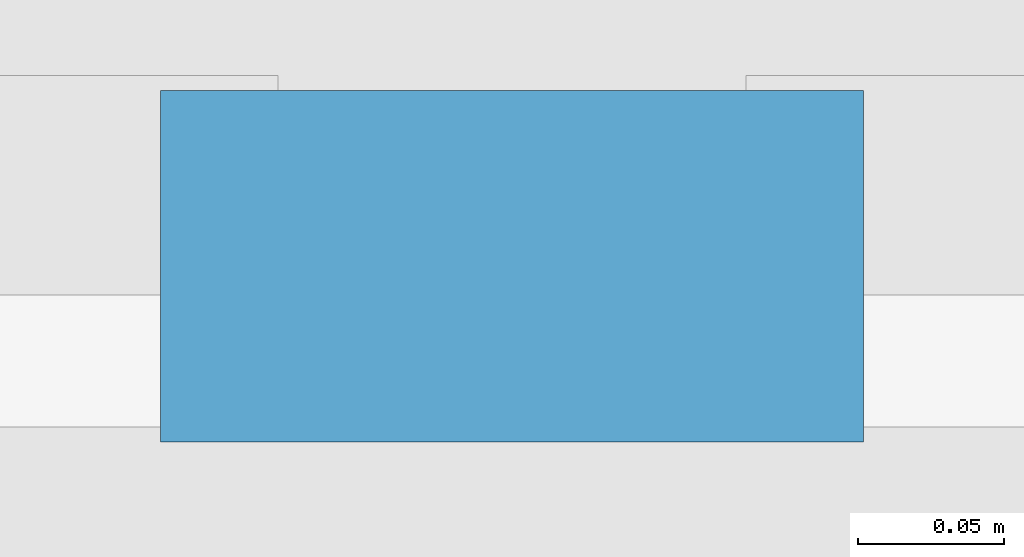
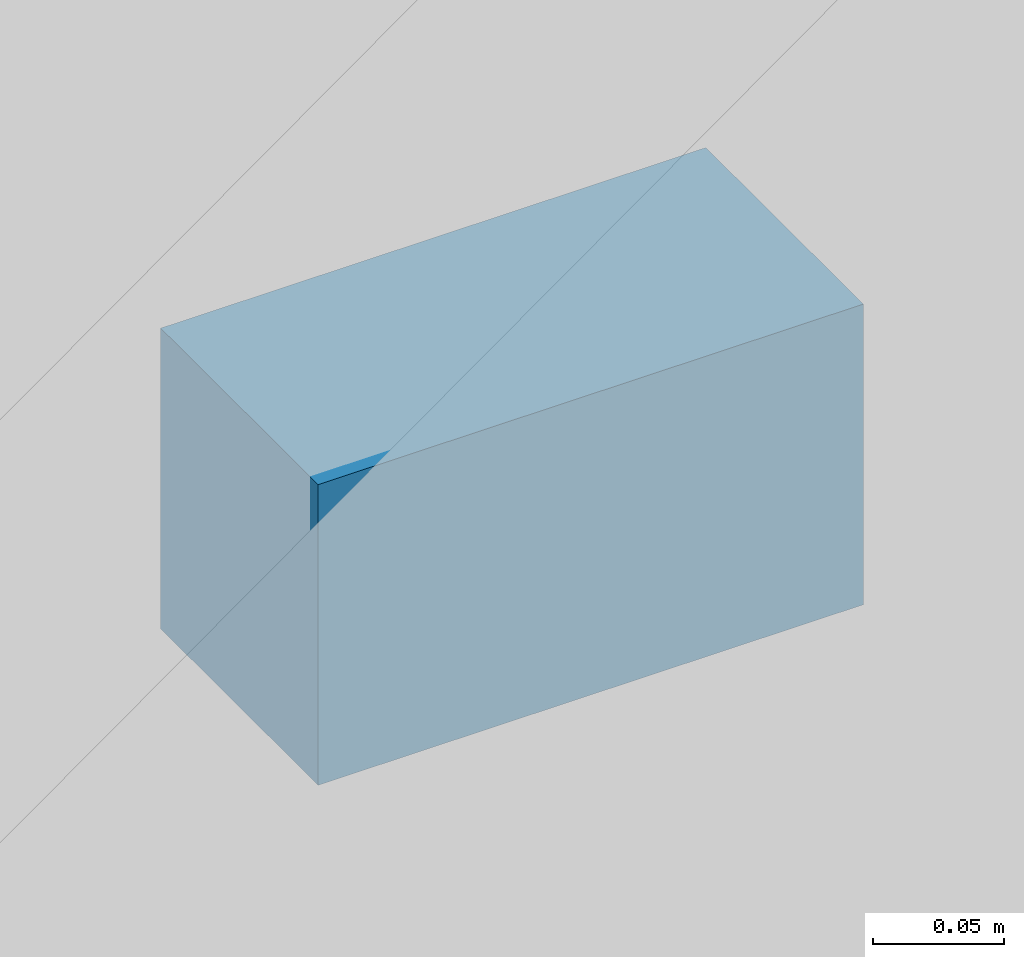
# One storey, part 33 of 46: 1 discrete accessory.
"""IFC4 building model written with IfcOpenShell, lengths in metres."""

import ifcopenshell
import ifcopenshell.guid

model = None  # the IFC model being written
_history = None  # IfcOwnerHistory: only IFC2X3 demands one
_inside = {}  # id of a spatial element -> (the spatial element, [elements in it])
_under = {}  # id of a project, library or spatial element -> (it, [spatial elements below it])
_declared = {}  # id of a project -> (the project, [libraries it declares])
_typed = {}  # id of a type object -> (the type object, [elements of that type])
_made_of = {}  # id of a material, layer set ... -> (it, [elements and type objects made of it])


def new_model(schema):
    """Start an empty IFC model of exactly this schema.

    Asked for "IFC4X3", IfcOpenShell would pick the latest addendum, in which some entities
    have other attributes; the version numbers below select the first issue.
    IFC2X3 requires an IfcOwnerHistory on every rooted entity: one is made here for all.
    """
    global model, _history
    if schema == "IFC4X3":
        model = ifcopenshell.file(schema_version=(4, 3, 0, 0))
    else:
        model = ifcopenshell.file(schema=schema)
    _inside.clear()
    _under.clear()
    _declared.clear()
    _typed.clear()
    _made_of.clear()
    _history = None
    if model.schema == "IFC2X3":
        org = make("IfcOrganization", Name="unknown")
        user = make(
            "IfcPersonAndOrganization",
            ThePerson=make("IfcPerson", FamilyName="unknown"),
            TheOrganization=org,
        )
        app = make(
            "IfcApplication",
            ApplicationDeveloper=org,
            Version="unknown",
            ApplicationFullName="unknown",
            ApplicationIdentifier="unknown",
        )
        _history = make(
            "IfcOwnerHistory",
            OwningUser=user,
            OwningApplication=app,
            ChangeAction="ADDED",
            CreationDate=0,
        )
    return model


def make(cls, **values):
    """One entity of the class cls with the attributes given. An attribute that is None is left unset."""
    return model.create_entity(
        cls, **{name: value for name, value in values.items() if value is not None}
    )


def rooted(cls, **values):
    """An entity with a GlobalId (a new one), such as an element, a storey or a relation."""
    return make(cls, GlobalId=ifcopenshell.guid.new(), OwnerHistory=_history, **values)


def si_unit(unit_type, name, prefix=None):
    """IfcSIUnit, for example si_unit("LENGTHUNIT", "METRE", prefix="MILLI")."""
    return make("IfcSIUnit", UnitType=unit_type, Prefix=prefix, Name=name)


def assignment(units):
    """IfcUnitAssignment: the units of a project."""
    return None if units is None else make("IfcUnitAssignment", Units=units)


def point(xyz):
    """IfcCartesianPoint."""
    return None if xyz is None else make("IfcCartesianPoint", Coordinates=xyz)


def direction(xyz):
    """IfcDirection."""
    return None if xyz is None else make("IfcDirection", DirectionRatios=xyz)


def frame(location, z_axis=None, x_axis=None):
    """IfcAxis2Placement3D, a coordinate frame: its origin and axes. An axis left out is left unset."""
    return make(
        "IfcAxis2Placement3D",
        Location=point(location),
        Axis=direction(z_axis),
        RefDirection=direction(x_axis),
    )


def frame_2d(location, x_axis=None):
    """IfcAxis2Placement2D, a coordinate frame in the plane: its origin and x axis."""
    return make(
        "IfcAxis2Placement2D", Location=point(location), RefDirection=direction(x_axis)
    )


def origin():
    """The frame at (0, 0, 0) with its axes left unset."""
    return frame((0.0, 0.0, 0.0))


def origin_2d():
    """The frame at (0, 0) in the plane with its x axis left unset."""
    return frame_2d((0.0, 0.0))


def place(relative_to, where):
    """IfcLocalPlacement: puts the frame where relative to a parent placement (None: the world)."""
    return make(
        "IfcLocalPlacement", PlacementRelTo=relative_to, RelativePlacement=where
    )


def context(
    kind, dimensions, precision=None, world=None, true_north=None, identifier=None
):
    """IfcGeometricRepresentationContext, for example the 3D "Model" context."""
    return make(
        "IfcGeometricRepresentationContext",
        ContextIdentifier=identifier,
        ContextType=kind,
        CoordinateSpaceDimension=dimensions,
        Precision=precision,
        WorldCoordinateSystem=world,
        TrueNorth=true_north,
    )


def subcontext(parent, identifier, kind, view, scale=None):
    """IfcGeometricRepresentationSubContext, for example "Body" below "Model"."""
    return make(
        "IfcGeometricRepresentationSubContext",
        ContextIdentifier=identifier,
        ContextType=kind,
        ParentContext=parent,
        TargetScale=scale,
        TargetView=view,
    )


def project(units=None, contexts=None):
    """IfcProject with its units and contexts."""
    return rooted(
        "IfcProject",
        Name="project",
        RepresentationContexts=contexts,
        UnitsInContext=assignment(units),
    )


def spatial(cls, under=None, at=None, **own):
    """A site, building, storey or space (cls), placed at a placement, below another one or the project."""
    s = rooted(cls, ObjectPlacement=at, **own)
    if under is not None:
        _under.setdefault(under.id(), (under, []))[1].append(s)
    return s


def profile(cls, at=None, kind="AREA", **sizes):
    """A parametric profile (cls). Its sizes go by their IFC names, for example OverallWidth=200.0."""
    return make(cls, ProfileType=kind, Position=at, **sizes)


def rectangle(**sizes):
    """IfcRectangleProfileDef."""
    return profile("IfcRectangleProfileDef", **sizes)


def extrude(swept, where, along, depth):
    """IfcExtrudedAreaSolid: the profile swept, set in the frame where, extruded along a direction by depth."""
    return make(
        "IfcExtrudedAreaSolid",
        SweptArea=swept,
        Position=where,
        ExtrudedDirection=direction(along),
        Depth=depth,
    )


def shape(context_of_items, identifier, shape_type, items):
    """IfcShapeRepresentation: the items that make up one representation, for example the "Body"."""
    return make(
        "IfcShapeRepresentation",
        ContextOfItems=context_of_items,
        RepresentationIdentifier=identifier,
        RepresentationType=shape_type,
        Items=items,
    )


def material(Name=None, Category=None):
    """IfcMaterial."""
    return make("IfcMaterial", Name=Name, Category=Category)


def made_of(thing, what):
    """Note that an element or type object is made of a material, layer set ...; save() writes the relation."""
    if what is not None:
        _made_of.setdefault(what.id(), (what, []))[1].append(thing)
    return thing


def type_object(cls, material=None, **own):
    """A type object (cls), such as IfcWallType, which elements share."""
    return made_of(rooted(cls, **own), material)


def element(
    cls,
    number,
    at=None,
    inside=None,
    cuts=None,
    type_object=None,
    material=None,
    context=None,
    identifier="Body",
    shape_type=None,
    held_by="IfcProductDefinitionShape",
    body=None,
    shapes=None,
    **own,
):
    """One element of the class cls, such as IfcWall. Its Tag is "e" and its number.

    at: its placement. inside: the storey or other place that contains it. cuts: it is an
    opening in that element (IfcRelVoidsElement). A single representation is given by context,
    identifier, shape_type and body (its items); several are given by shapes. held_by: the class
    of the entity that holds the representations. save() writes the other relations.
    """
    e = rooted(cls, Tag="e%d" % number, ObjectPlacement=at, **own)
    if body is not None:
        shapes = [shape(context, identifier, shape_type, body)]
    if shapes is not None:
        e.Representation = make(held_by, Representations=shapes)
    if inside is not None:
        _inside.setdefault(inside.id(), (inside, []))[1].append(e)
    if cuts is not None:
        rooted(
            "IfcRelVoidsElement", RelatingBuildingElement=cuts, RelatedOpeningElement=e
        )
    if type_object is not None:
        _typed.setdefault(type_object.id(), (type_object, []))[1].append(e)
    return made_of(e, material)


def aggregate(whole, parts):
    """IfcRelAggregates: a whole, such as a stair, and the parts it consists of."""
    return rooted("IfcRelAggregates", RelatingObject=whole, RelatedObjects=parts)


def save(model, path):
    """Write the relations noted so far, then the file.

    IfcRelAggregates (storeys below a building ...), IfcRelContainedInSpatialStructure (elements
    in a storey), IfcRelDefinesByType, IfcRelAssociatesMaterial and IfcRelDeclares: one each for
    every whole, place, type object, material and project.
    """
    for whole, parts in _under.values():
        aggregate(whole, parts)
    for where, things in _inside.values():
        rooted(
            "IfcRelContainedInSpatialStructure",
            RelatedElements=things,
            RelatingStructure=where,
        )
    for kind, things in _typed.values():
        rooted("IfcRelDefinesByType", RelatedObjects=things, RelatingType=kind)
    for what, things in _made_of.values():
        rooted("IfcRelAssociatesMaterial", RelatedObjects=things, RelatingMaterial=what)
    for by, libraries in _declared.values():
        rooted("IfcRelDeclares", RelatingContext=by, RelatedDefinitions=libraries)
    model.write(path)


model = new_model("IFC4")

# Units and contexts
model_context = context("Model", 3, precision=1e-05, world=origin(), true_north=direction((0.0, 1.0)))
body_context = subcontext(model_context, "Body", "Model", "MODEL_VIEW")
ifc_project = project(units=[si_unit("LENGTHUNIT", "METRE"), si_unit("AREAUNIT", "SQUARE_METRE"), si_unit("VOLUMEUNIT", "CUBIC_METRE"), si_unit("PLANEANGLEUNIT", "RADIAN"), si_unit("MASSUNIT", "GRAM", prefix="KILO")], contexts=[model_context])

# Site, building, storey
site_placement = place(None, origin())
site = spatial("IfcSite", under=ifc_project, at=site_placement, CompositionType="ELEMENT")
building_placement = place(site_placement, origin())
building = spatial("IfcBuilding", under=site, at=building_placement, Name="Nzembalo Square Collegiate School", CompositionType="ELEMENT")
storey_placement = place(building_placement, frame((0.0, 0.0, 17.340087890625)))
storey = spatial("IfcBuildingStorey", under=building, at=storey_placement, Name="L04", CompositionType="ELEMENT", Elevation=17.340087890625)

# Discrete accessory
ifc_material = material(Name="Steel S355", Category="steel")
discrete_accessory_type = type_object("IfcDiscreteAccessoryType", Name="BK01", PredefinedType="BRACKET", material=ifc_material)
discrete_accessory_placement = place(storey_placement, frame((135.63671875, 79.0224609375, 1.8544921875), z_axis=(0.0, 0.0, 1.0), x_axis=(1.0, 0.0, 0.0)))
element("IfcDiscreteAccessory", 1, at=discrete_accessory_placement, inside=storey, type_object=discrete_accessory_type, Name="Screen bracket BK01-028", PredefinedType="BRACKET", context=body_context, shape_type="SweptSolid", body=[
    extrude(rectangle(XDim=0.239990234375, YDim=0.1201171875, at=origin_2d()), origin(), (0.0, 0.0, 1.0), 0.139892578125),
])

save(model, "model.ifc")
